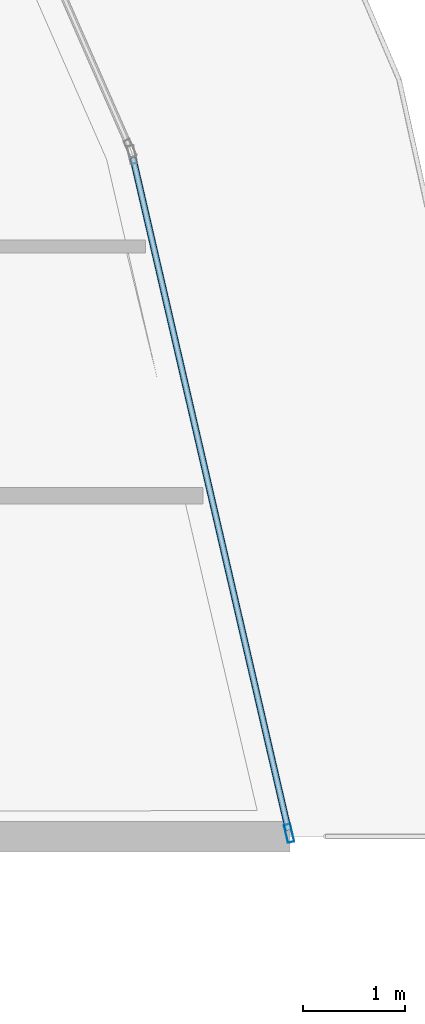
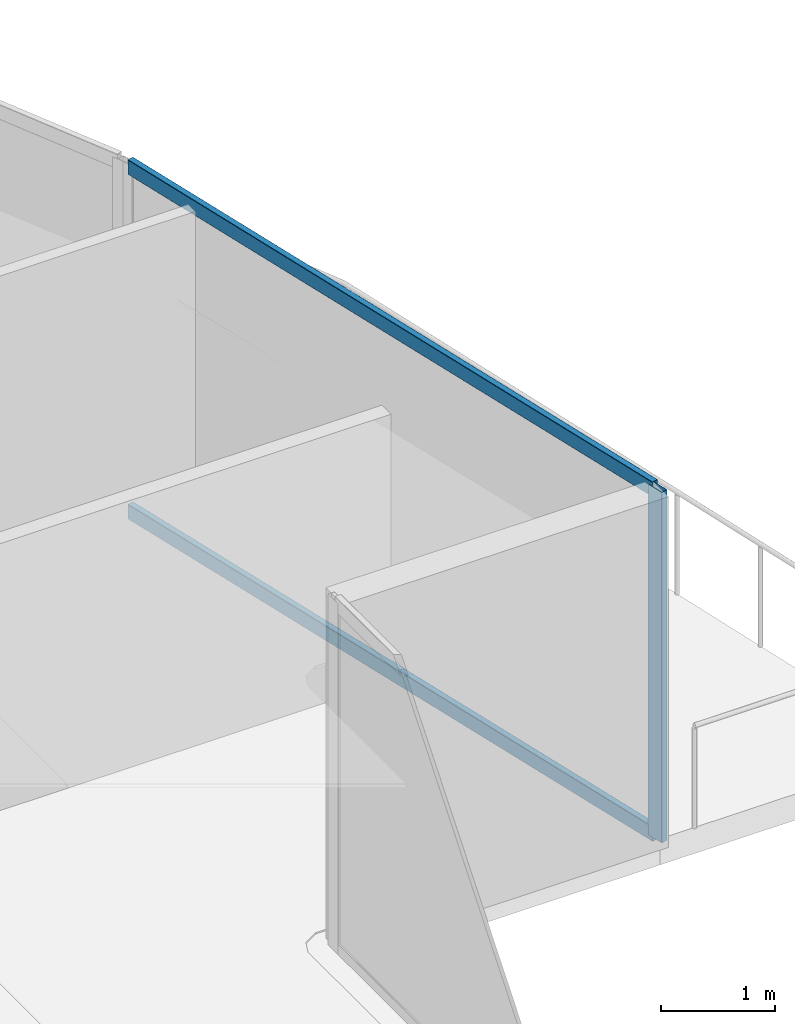
# One storey, part 25 of 42: 3 members, 1 element without a shape of its own.
"""IFC4 building model written with IfcOpenShell, lengths in metres."""

from ifc_helpers import new_model, si_unit, direction, frame, origin, origin_2d, place, context, subcontext, project, spatial, hollow_rectangle, extrude, material, layer, layer_set, material_profile, profile_set, type_object, element, aggregate, save


model = new_model("IFC4")

# Units and contexts
model_context = context("Model", 3, precision=1e-05, world=origin(), true_north=direction((0.0, 1.0)))
body_context = subcontext(model_context, "Body", "Model", "MODEL_VIEW")
ifc_project = project(units=[si_unit("LENGTHUNIT", "METRE"), si_unit("AREAUNIT", "SQUARE_METRE"), si_unit("VOLUMEUNIT", "CUBIC_METRE"), si_unit("PLANEANGLEUNIT", "RADIAN"), si_unit("MASSUNIT", "GRAM", prefix="KILO")], contexts=[model_context])

# Site, building, storey
site_placement = place(None, origin())
site = spatial("IfcSite", under=ifc_project, at=site_placement, CompositionType="ELEMENT")
building_placement = place(site_placement, origin())
building = spatial("IfcBuilding", under=site, at=building_placement, Name="Qorvath Tower", CompositionType="ELEMENT")
storey_placement = place(building_placement, frame((0.0, 0.0, 121.949951171875)))
storey = spatial("IfcBuildingStorey", under=building, at=storey_placement, Name="L27", CompositionType="ELEMENT", Elevation=121.949951171875)

# Curtain wall, members
ifc_material_1 = material(Name="Anodised aluminium and triple low-E glass", Category="aluminium")
ifc_layer = layer(ifc_material_1, 0.179931640625)
ifc_layer_set = layer_set([ifc_layer], Name="CW-SYS-2")
curtain_wall_type = type_object("IfcCurtainWallType", Name="CW-SYS-2", PredefinedType="NOTDEFINED", material=ifc_layer_set)
curtain_wall_placement = place(storey_placement, origin())
curtain_wall = element("IfcCurtainWall", 1, at=curtain_wall_placement, inside=storey, type_object=curtain_wall_type, Name="Curtain Wall CW-2 CW-T-L27-11.1", PredefinedType="NOTDEFINED")
ifc_material_2 = material(Name="Anodised aluminium 6063-T6", Category="aluminium")
ifc_material_profile_1 = material_profile(ifc_material_2, hollow_rectangle(XDim=0.06494140625, YDim=0.179931640625, WallThickness=0.00341796875, InnerFilletRadius=0.00341796875, OuterFilletRadius=0.007080078125, at=origin_2d()), Name="CWM 180x65")
ifc_profile_set_1 = profile_set([ifc_material_profile_1], Name="Anodised aluminium 6063-T6")
member_type_1 = type_object("IfcMemberType", Name="CWM-180", PredefinedType="MULLION", material=ifc_profile_set_1)
member_1_placement = place(storey_placement, frame((4.691650390625, 4.999755859375, 0.0), z_axis=(0.0, 0.0, 1.0), x_axis=(-0.974296356855, -0.225270080166, 0.0)))
member_1 = element("IfcMember", 2, at=member_1_placement, type_object=member_type_1, Name="CW-2 mullion 1", PredefinedType="MULLION", context=body_context, shape_type="SweptSolid", body=[
    extrude(hollow_rectangle(XDim=0.06494140625, YDim=0.179931640625, WallThickness=0.00341796875, InnerFilletRadius=0.00341796875, OuterFilletRadius=0.007080078125, at=origin_2d()), origin(), (0.0, 0.0, 1.0), 3.77001953125),
])
ifc_material_3 = material(Name="Anodised aluminium 6063-T6", Category="aluminium")
ifc_material_profile_2 = material_profile(ifc_material_3, hollow_rectangle(XDim=0.06494140625, YDim=0.159912109375, WallThickness=0.00341796875, InnerFilletRadius=0.00341796875, OuterFilletRadius=0.007080078125, at=origin_2d()), Name="CWT 160x65")
ifc_profile_set_2 = profile_set([ifc_material_profile_2], Name="Anodised aluminium 6063-T6")
member_type_2 = type_object("IfcMemberType", Name="CWT-160", PredefinedType="USERDEFINED", material=ifc_profile_set_2)
member_2_placement = place(storey_placement, frame((4.684326171875, 5.03125, 0.032470703125), z_axis=(-0.22526763041, 0.974296923268, 0.0), x_axis=(-0.974296923268, -0.22526763041, 0.0)))
member_2 = element("IfcMember", 3, at=member_2_placement, type_object=member_type_2, Name="CW-2 transom 1.1", ObjectType="TRANSOM", PredefinedType="USERDEFINED", context=body_context, shape_type="SweptSolid", body=[
    extrude(hollow_rectangle(XDim=0.06494140625, YDim=0.159912109375, WallThickness=0.00341796875, InnerFilletRadius=0.00341796875, OuterFilletRadius=0.007080078125, at=origin_2d()), origin(), (0.0, 0.0, 1.0), 6.771484375),
])
member_3_placement = place(storey_placement, frame((4.684326171875, 5.03125, 3.737548828125), z_axis=(-0.22526763041, 0.974296923268, 0.0), x_axis=(-0.974296923268, -0.22526763041, 0.0)))
member_3 = element("IfcMember", 4, at=member_3_placement, type_object=member_type_2, Name="CW-2 transom 1.2", ObjectType="TRANSOM", PredefinedType="USERDEFINED", context=body_context, shape_type="SweptSolid", body=[
    extrude(hollow_rectangle(XDim=0.06494140625, YDim=0.159912109375, WallThickness=0.00341796875, InnerFilletRadius=0.00341796875, OuterFilletRadius=0.007080078125, at=origin_2d()), origin(), (0.0, 0.0, 1.0), 6.771484375),
])
aggregate(curtain_wall, [member_1, member_2, member_3])

save(model, "model.ifc")
